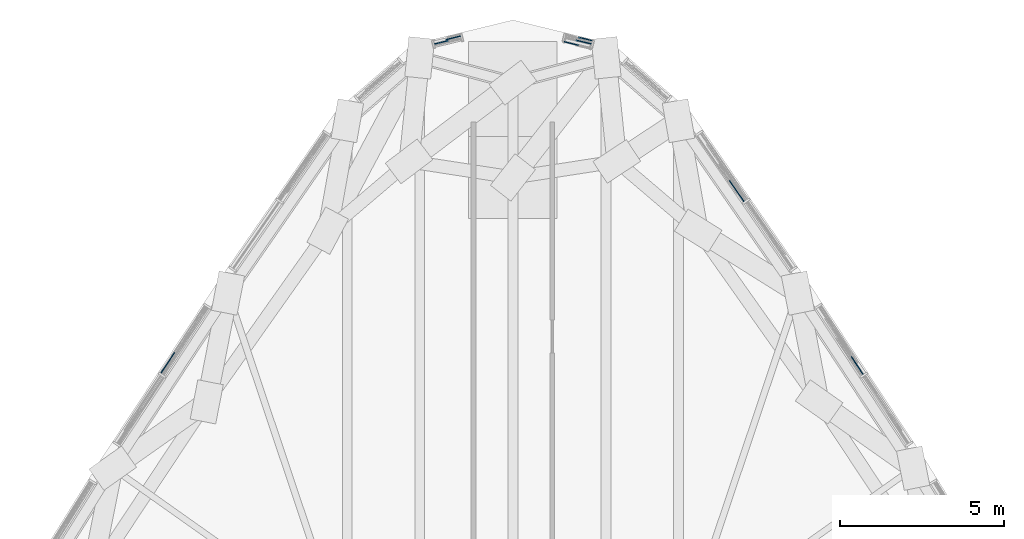
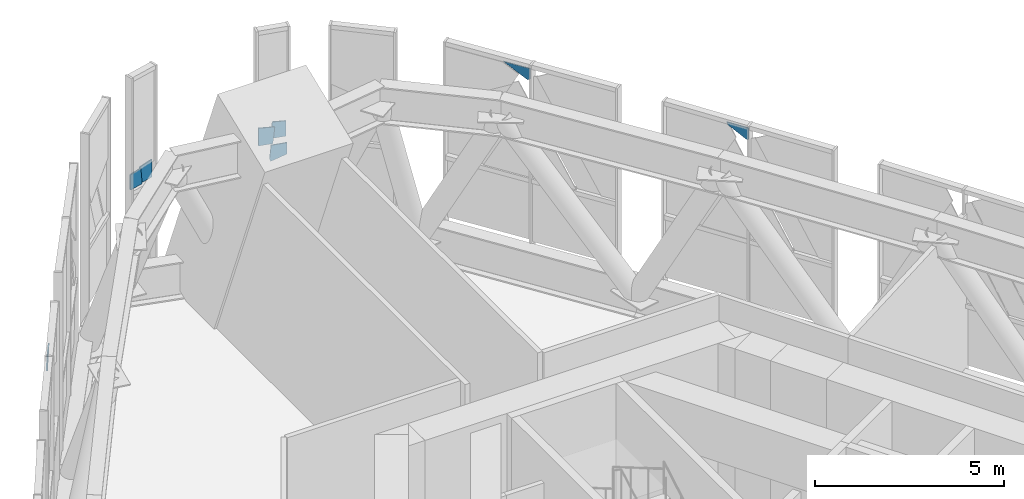
# One storey, part 20 of 33: 8 plates, 3 elements without a shape of their own.
"""IFC4 building model written with IfcOpenShell, lengths in metres."""

from ifc_helpers import new_model, si_unit, direction, frame, origin, place, context, subcontext, project, spatial, polyline, outline, extrude, material, layer, layer_set, type_object, element, aggregate, save


model = new_model("IFC4")

# Units and contexts
model_context = context("Model", 3, precision=1e-05, world=origin(), true_north=direction((0.0, 1.0)))
body_context = subcontext(model_context, "Body", "Model", "MODEL_VIEW")
ifc_project = project(units=[si_unit("LENGTHUNIT", "METRE"), si_unit("AREAUNIT", "SQUARE_METRE"), si_unit("VOLUMEUNIT", "CUBIC_METRE"), si_unit("PLANEANGLEUNIT", "RADIAN"), si_unit("MASSUNIT", "GRAM", prefix="KILO")], contexts=[model_context])

# Site, building, storey
site_placement = place(None, origin())
site = spatial("IfcSite", under=ifc_project, at=site_placement, CompositionType="ELEMENT")
building_placement = place(site_placement, origin())
building = spatial("IfcBuilding", under=site, at=building_placement, Name="Mestral Congress Tower", CompositionType="ELEMENT")
storey_placement = place(building_placement, frame((0.0, 0.0, 134.39990234375)))
storey = spatial("IfcBuildingStorey", under=building, at=storey_placement, Name="L32", CompositionType="ELEMENT", Elevation=134.39990234375)

# Curtain wall, plates
ifc_material_1 = material(Name="Clear low-emissivity double glazing", Category="glass")
curtain_wall_type = type_object("IfcCurtainWallType", Name="Facade sky lobby curtain wall", PredefinedType="USERDEFINED", material=ifc_material_1)
placement = place(storey_placement, origin())
curtain_wall_1 = element("IfcCurtainWall", 1, at=placement, inside=storey, type_object=curtain_wall_type, Name="Facade sky lobby curtain wall corner 2", ObjectType="CURTAIN WALL", PredefinedType="USERDEFINED")
ifc_material_2 = material(Name="Anodised aluminium", Category="aluminium")
ifc_layer_1 = layer(ifc_material_2, 0.031982421875)
ifc_layer_set_1 = layer_set([ifc_layer_1], Name="Anodised aluminium")
plate_type_1 = type_object("IfcPlateType", Name="Facade sky lobby curtain wall brace cover panel", PredefinedType="CURTAIN_PANEL", material=ifc_layer_set_1)
plate_1_placement = place(storey_placement, frame((1.5654296875, 34.85986328125, 3.27001953125), z_axis=(0.23632402023, 0.971672552733, 0.001846002978), x_axis=(0.971674208442, -0.236324422455, -2.45049e-07)))
plate_1 = element("IfcPlate", 2, at=plate_1_placement, type_object=plate_type_1, Name="Facade sky lobby curtain wall brace cover panel", PredefinedType="CURTAIN_PANEL", context=body_context, shape_type="SweptSolid", body=[
    extrude(outline(polyline([(0.0, 0.0), (0.39898434327964216, 0.0), (0.4494871515928388, -0.531251015326588), (-6.580231915719527e-06, -0.5739754895792207), (0.0, 0.0)])), origin(), (0.0, 0.0, -1.0), 0.031982421875),
])
plate_2_placement = place(storey_placement, frame((-1.60693359375, 35.031005859375, 3.27001953125), z_axis=(-0.236063322179, 0.971735463474, 0.002072908277), x_axis=(0.000403125949, -0.002035266426, 0.999997847588)))
plate_2 = element("IfcPlate", 3, at=plate_2_placement, type_object=plate_type_1, Name="Facade sky lobby curtain wall brace cover panel", PredefinedType="CURTAIN_PANEL", context=body_context, shape_type="SweptSolid", body=[
    extrude(outline(polyline([(0.0, 0.0), (0.5739759568205018, 6.098637220230962e-20), (0.5312910178505232, -0.4494398681513797), (3.5509969247891963e-05, -0.3989843415555696), (0.0, 0.0)])), origin(), (0.0, 0.0, -1.0), 0.031982421875),
])

curtain_wall_2 = element("IfcCurtainWall", 4, at=placement, inside=storey, type_object=curtain_wall_type, Name="Facade sky lobby curtain wall face 2", ObjectType="CURTAIN WALL", PredefinedType="USERDEFINED")
ifc_layer_2 = layer(ifc_material_1, 0.031982421875)
ifc_layer_set_2 = layer_set([ifc_layer_2], Name="Clear low-emissivity double glazing")
plate_type_2 = type_object("IfcPlateType", Name="Facade sky lobby curtain wall panel", PredefinedType="CURTAIN_PANEL", material=ifc_layer_set_2)
plate_3_placement = place(storey_placement, frame((10.363037109375, 25.208251953125, 6.72998046875), z_axis=(0.835271064094, 0.549834393285, 0.002095100777), x_axis=(0.483794855628, -0.733126968825, -0.477982620238)))
plate_3 = element("IfcPlate", 5, at=plate_3_placement, type_object=plate_type_2, Name="Sky lobby glass unit", PredefinedType="CURTAIN_PANEL", context=body_context, shape_type="SweptSolid", body=[
    extrude(outline(polyline([(0.0, 0.0), (0.6522564676374913, 0.0), (0.6764928943232326, -0.03875969223730491), (0.4999370263912558, -0.36321907971972317), (-0.07818453362685683, -0.04862130390919582), (0.0, 0.0)])), origin(), (0.0, 0.0, -1.0), 0.031982421875),
])
plate_4_placement = place(storey_placement, frame((6.618896484375, 30.616943359375, 6.81005859375), z_axis=(0.822137715783, 0.56928623617, 0.001660600748), x_axis=(0.501783511209, -0.723269360203, -0.474441503739)))
plate_4 = element("IfcPlate", 6, at=plate_4_placement, type_object=plate_type_2, Name="Sky lobby glass unit", PredefinedType="CURTAIN_PANEL", context=body_context, shape_type="SweptSolid", body=[
    extrude(outline(polyline([(0.0, 0.0), (0.8115011450247406, 5.551115123125783e-17), (0.8522177821252637, -0.06576496081673172), (0.6877859482707993, -0.37069127480273295), (0.0, 0.0)])), origin(), (0.0, 0.0, -1.0), 0.031982421875),
])
aggregate(curtain_wall_2, [plate_3, plate_4])

# Curtain wall, plate
curtain_wall_3 = element("IfcCurtainWall", 7, at=placement, inside=storey, type_object=curtain_wall_type, Name="Facade sky lobby curtain wall face 3", ObjectType="CURTAIN WALL", PredefinedType="USERDEFINED")
plate_5_placement = place(storey_placement, frame((-10.757080078125, 24.734130859375, 6.440673828125), z_axis=(-0.835298155129, 0.549794747157, 0.001651676551), x_axis=(0.47778235204, 0.727370238017, -0.492601827977)))
plate_5 = element("IfcPlate", 8, at=plate_5_placement, type_object=plate_type_2, Name="Sky lobby glass unit", PredefinedType="CURTAIN_PANEL", context=body_context, shape_type="SweptSolid", body=[
    extrude(outline(polyline([(0.0, 0.0), (0.04559676510638431, 3.469446951953614e-18), (0.4792095902546002, -0.695710460150865), (-0.1819038992342242, -0.3214908551050895), (0.0, 0.0)])), origin(), (0.0, 0.0, -1.0), 0.031982421875),
])
aggregate(curtain_wall_3, [plate_5])

# Plate
plate_6_placement = place(storey_placement, frame((2.39990234375, 34.791259765625, 3.130126953125), z_axis=(0.236133877297, 0.971718937079, 0.001760486927), x_axis=(-0.971720442899, 0.236134243286, -3.5795e-08)))
plate_6 = element("IfcPlate", 9, at=plate_6_placement, type_object=plate_type_2, Name="Sky lobby glass unit", PredefinedType="CURTAIN_PANEL", context=body_context, shape_type="SweptSolid", body=[
    extrude(outline(polyline([(0.0, 0.0), (0.4414409521622537, 0.0), (0.4825894551556992, -0.43383863267567796), (0.45446242837810474, -0.519043670278761), (0.00017296307230994017, -0.3684088851669093), (0.0, 0.0)])), origin(), (0.0, 0.0, -1.0), 0.031982421875),
])

plate_7_placement = place(storey_placement, frame((2.4248046875, 34.893798828125, 3.27001953125), z_axis=(0.236627225306, 0.971598624018, 0.001915737576), x_axis=(-7.4294e-08, -0.001971715712, 0.999998056167)))
plate_7 = element("IfcPlate", 10, at=plate_7_placement, type_object=plate_type_2, Name="Sky lobby glass unit", PredefinedType="CURTAIN_PANEL", context=body_context, shape_type="SweptSolid", body=[
    extrude(outline(polyline([(0.0, 0.0), (0.4953622907287717, 2.710505431213761e-20), (0.5310747365402789, -0.3779202004853268), (-0.000199740093671185, -0.4281756301968307), (0.0, 0.0)])), origin(), (0.0, 0.0, -1.0), 0.031982421875),
])

plate_8_placement = place(storey_placement, frame((-2.399658203125, 34.789794921875, 3.765380859375), z_axis=(-0.236423593836, 0.97164756225, 0.002213380128), x_axis=(-0.000422506311, 0.002175155186, -0.999997545091)))
plate_8 = element("IfcPlate", 11, at=plate_8_placement, type_object=plate_type_2, Name="Sky lobby glass unit", PredefinedType="CURTAIN_PANEL", context=body_context, shape_type="SweptSolid", body=[
    extrude(outline(polyline([(0.0, 0.0), (0.4953628704277811, 3.3881317890172014e-20), (0.4954069533120036, -0.42811794434791617), (-0.03584925764529448, -0.3776700074881483), (0.0, 0.0)])), origin(), (0.0, 0.0, -1.0), 0.031982421875),
])

aggregate(curtain_wall_1, [plate_6, plate_7, plate_1, plate_8, plate_2])

save(model, "model.ifc")
